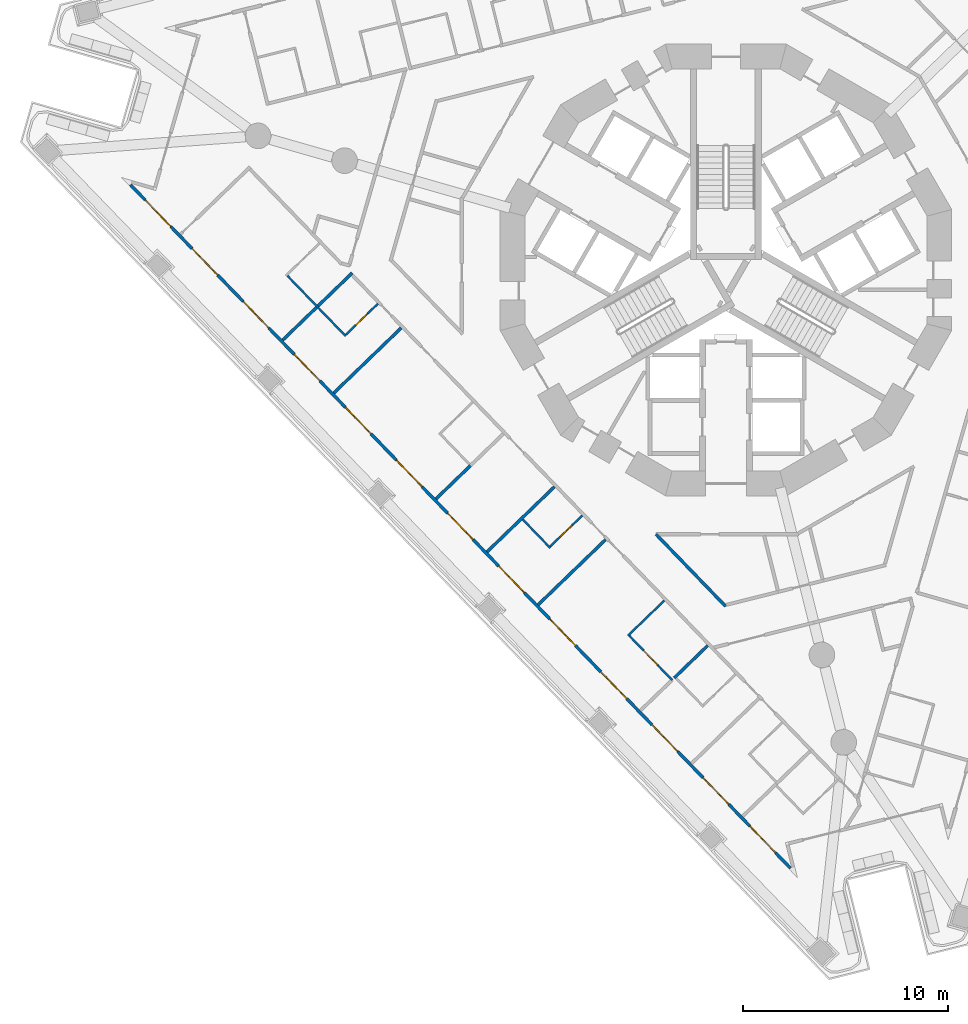
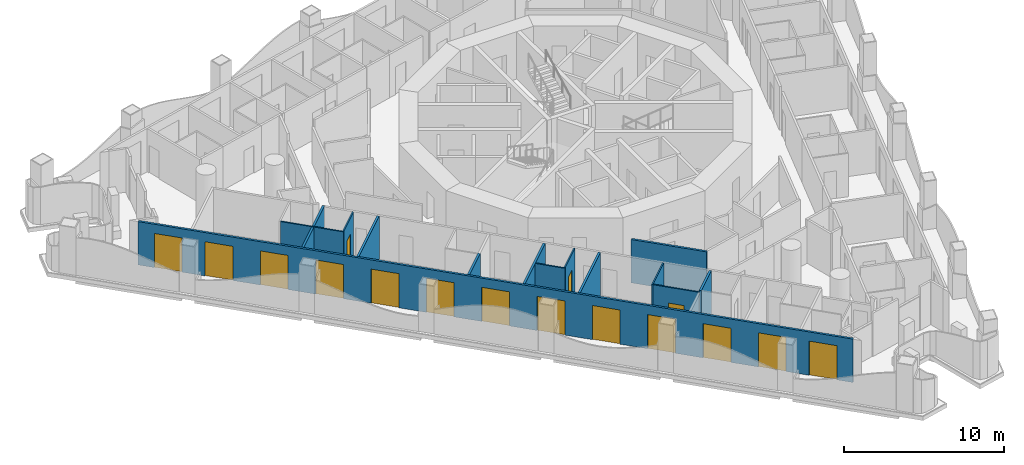
# One storey, part 2 of 20: 16 doors, 14 walls, 16 openings.
"""IFC4 building model written with IfcOpenShell, lengths in metres."""

import ifcopenshell
import ifcopenshell.guid

model = None  # the IFC model being written
_history = None  # IfcOwnerHistory: only IFC2X3 demands one
_inside = {}  # id of a spatial element -> (the spatial element, [elements in it])
_under = {}  # id of a project, library or spatial element -> (it, [spatial elements below it])
_declared = {}  # id of a project -> (the project, [libraries it declares])
_typed = {}  # id of a type object -> (the type object, [elements of that type])
_made_of = {}  # id of a material, layer set ... -> (it, [elements and type objects made of it])


def new_model(schema):
    """Start an empty IFC model of exactly this schema.

    Asked for "IFC4X3", IfcOpenShell would pick the latest addendum, in which some entities
    have other attributes; the version numbers below select the first issue.
    IFC2X3 requires an IfcOwnerHistory on every rooted entity: one is made here for all.
    """
    global model, _history
    if schema == "IFC4X3":
        model = ifcopenshell.file(schema_version=(4, 3, 0, 0))
    else:
        model = ifcopenshell.file(schema=schema)
    _inside.clear()
    _under.clear()
    _declared.clear()
    _typed.clear()
    _made_of.clear()
    _history = None
    if model.schema == "IFC2X3":
        org = make("IfcOrganization", Name="unknown")
        user = make(
            "IfcPersonAndOrganization",
            ThePerson=make("IfcPerson", FamilyName="unknown"),
            TheOrganization=org,
        )
        app = make(
            "IfcApplication",
            ApplicationDeveloper=org,
            Version="unknown",
            ApplicationFullName="unknown",
            ApplicationIdentifier="unknown",
        )
        _history = make(
            "IfcOwnerHistory",
            OwningUser=user,
            OwningApplication=app,
            ChangeAction="ADDED",
            CreationDate=0,
        )
    return model


def make(cls, **values):
    """One entity of the class cls with the attributes given. An attribute that is None is left unset."""
    return model.create_entity(
        cls, **{name: value for name, value in values.items() if value is not None}
    )


def rooted(cls, **values):
    """An entity with a GlobalId (a new one), such as an element, a storey or a relation."""
    return make(cls, GlobalId=ifcopenshell.guid.new(), OwnerHistory=_history, **values)


def si_unit(unit_type, name, prefix=None):
    """IfcSIUnit, for example si_unit("LENGTHUNIT", "METRE", prefix="MILLI")."""
    return make("IfcSIUnit", UnitType=unit_type, Prefix=prefix, Name=name)


def assignment(units):
    """IfcUnitAssignment: the units of a project."""
    return None if units is None else make("IfcUnitAssignment", Units=units)


def point(xyz):
    """IfcCartesianPoint."""
    return None if xyz is None else make("IfcCartesianPoint", Coordinates=xyz)


def direction(xyz):
    """IfcDirection."""
    return None if xyz is None else make("IfcDirection", DirectionRatios=xyz)


def frame(location, z_axis=None, x_axis=None):
    """IfcAxis2Placement3D, a coordinate frame: its origin and axes. An axis left out is left unset."""
    return make(
        "IfcAxis2Placement3D",
        Location=point(location),
        Axis=direction(z_axis),
        RefDirection=direction(x_axis),
    )


def frame_2d(location, x_axis=None):
    """IfcAxis2Placement2D, a coordinate frame in the plane: its origin and x axis."""
    return make(
        "IfcAxis2Placement2D", Location=point(location), RefDirection=direction(x_axis)
    )


def origin():
    """The frame at (0, 0, 0) with its axes left unset."""
    return frame((0.0, 0.0, 0.0))


def place(relative_to, where):
    """IfcLocalPlacement: puts the frame where relative to a parent placement (None: the world)."""
    return make(
        "IfcLocalPlacement", PlacementRelTo=relative_to, RelativePlacement=where
    )


def context(
    kind, dimensions, precision=None, world=None, true_north=None, identifier=None
):
    """IfcGeometricRepresentationContext, for example the 3D "Model" context."""
    return make(
        "IfcGeometricRepresentationContext",
        ContextIdentifier=identifier,
        ContextType=kind,
        CoordinateSpaceDimension=dimensions,
        Precision=precision,
        WorldCoordinateSystem=world,
        TrueNorth=true_north,
    )


def subcontext(parent, identifier, kind, view, scale=None):
    """IfcGeometricRepresentationSubContext, for example "Body" below "Model"."""
    return make(
        "IfcGeometricRepresentationSubContext",
        ContextIdentifier=identifier,
        ContextType=kind,
        ParentContext=parent,
        TargetScale=scale,
        TargetView=view,
    )


def project(units=None, contexts=None):
    """IfcProject with its units and contexts."""
    return rooted(
        "IfcProject",
        Name="project",
        RepresentationContexts=contexts,
        UnitsInContext=assignment(units),
    )


def spatial(cls, under=None, at=None, **own):
    """A site, building, storey or space (cls), placed at a placement, below another one or the project."""
    s = rooted(cls, ObjectPlacement=at, **own)
    if under is not None:
        _under.setdefault(under.id(), (under, []))[1].append(s)
    return s


def polyline(points):
    """IfcPolyline through the points."""
    return make("IfcPolyline", Points=[point(p) for p in points])


def profile(cls, at=None, kind="AREA", **sizes):
    """A parametric profile (cls). Its sizes go by their IFC names, for example OverallWidth=200.0."""
    return make(cls, ProfileType=kind, Position=at, **sizes)


def rectangle(**sizes):
    """IfcRectangleProfileDef."""
    return profile("IfcRectangleProfileDef", **sizes)


def outline(outer, holes=None, kind="AREA"):
    """IfcArbitraryClosedProfileDef: a profile drawn as a closed curve; with holes, ...WithVoids."""
    if holes is None:
        return make("IfcArbitraryClosedProfileDef", ProfileType=kind, OuterCurve=outer)
    return make(
        "IfcArbitraryProfileDefWithVoids",
        ProfileType=kind,
        OuterCurve=outer,
        InnerCurves=holes,
    )


def extrude(swept, where, along, depth):
    """IfcExtrudedAreaSolid: the profile swept, set in the frame where, extruded along a direction by depth."""
    return make(
        "IfcExtrudedAreaSolid",
        SweptArea=swept,
        Position=where,
        ExtrudedDirection=direction(along),
        Depth=depth,
    )


def shape(context_of_items, identifier, shape_type, items):
    """IfcShapeRepresentation: the items that make up one representation, for example the "Body"."""
    return make(
        "IfcShapeRepresentation",
        ContextOfItems=context_of_items,
        RepresentationIdentifier=identifier,
        RepresentationType=shape_type,
        Items=items,
    )


def material(Name=None, Category=None):
    """IfcMaterial."""
    return make("IfcMaterial", Name=Name, Category=Category)


def layer(
    of_material, thickness, ventilated=None, Name=None, Category=None, Priority=None
):
    """IfcMaterialLayer: one layer of a wall or slab, of a material (None: an air gap)."""
    return make(
        "IfcMaterialLayer",
        Material=of_material,
        LayerThickness=thickness,
        IsVentilated=ventilated,
        Name=Name,
        Category=Category,
        Priority=Priority,
    )


def layer_set(layers, Name=None):
    """IfcMaterialLayerSet."""
    return make("IfcMaterialLayerSet", MaterialLayers=layers, LayerSetName=Name)


def made_of(thing, what):
    """Note that an element or type object is made of a material, layer set ...; save() writes the relation."""
    if what is not None:
        _made_of.setdefault(what.id(), (what, []))[1].append(thing)
    return thing


def type_object(cls, material=None, **own):
    """A type object (cls), such as IfcWallType, which elements share."""
    return made_of(rooted(cls, **own), material)


def element(
    cls,
    number,
    at=None,
    inside=None,
    cuts=None,
    type_object=None,
    material=None,
    context=None,
    identifier="Body",
    shape_type=None,
    held_by="IfcProductDefinitionShape",
    body=None,
    shapes=None,
    **own,
):
    """One element of the class cls, such as IfcWall. Its Tag is "e" and its number.

    at: its placement. inside: the storey or other place that contains it. cuts: it is an
    opening in that element (IfcRelVoidsElement). A single representation is given by context,
    identifier, shape_type and body (its items); several are given by shapes. held_by: the class
    of the entity that holds the representations. save() writes the other relations.
    """
    e = rooted(cls, Tag="e%d" % number, ObjectPlacement=at, **own)
    if body is not None:
        shapes = [shape(context, identifier, shape_type, body)]
    if shapes is not None:
        e.Representation = make(held_by, Representations=shapes)
    if inside is not None:
        _inside.setdefault(inside.id(), (inside, []))[1].append(e)
    if cuts is not None:
        rooted(
            "IfcRelVoidsElement", RelatingBuildingElement=cuts, RelatedOpeningElement=e
        )
    if type_object is not None:
        _typed.setdefault(type_object.id(), (type_object, []))[1].append(e)
    return made_of(e, material)


def fill(opening, filler):
    """IfcRelFillsElement: the door or window that sits in an opening."""
    return rooted(
        "IfcRelFillsElement",
        RelatingOpeningElement=opening,
        RelatedBuildingElement=filler,
    )


def aggregate(whole, parts):
    """IfcRelAggregates: a whole, such as a stair, and the parts it consists of."""
    return rooted("IfcRelAggregates", RelatingObject=whole, RelatedObjects=parts)


def save(model, path):
    """Write the relations noted so far, then the file.

    IfcRelAggregates (storeys below a building ...), IfcRelContainedInSpatialStructure (elements
    in a storey), IfcRelDefinesByType, IfcRelAssociatesMaterial and IfcRelDeclares: one each for
    every whole, place, type object, material and project.
    """
    for whole, parts in _under.values():
        aggregate(whole, parts)
    for where, things in _inside.values():
        rooted(
            "IfcRelContainedInSpatialStructure",
            RelatedElements=things,
            RelatingStructure=where,
        )
    for kind, things in _typed.values():
        rooted("IfcRelDefinesByType", RelatedObjects=things, RelatingType=kind)
    for what, things in _made_of.values():
        rooted("IfcRelAssociatesMaterial", RelatedObjects=things, RelatingMaterial=what)
    for by, libraries in _declared.values():
        rooted("IfcRelDeclares", RelatingContext=by, RelatedDefinitions=libraries)
    model.write(path)


model = new_model("IFC4")

# Units and contexts
model_context = context("Model", 3, precision=1e-05, world=origin(), true_north=direction((0.0, 1.0)))
body_context = subcontext(model_context, "Body", "Model", "MODEL_VIEW")
ifc_project = project(units=[si_unit("LENGTHUNIT", "METRE"), si_unit("AREAUNIT", "SQUARE_METRE"), si_unit("VOLUMEUNIT", "CUBIC_METRE"), si_unit("PLANEANGLEUNIT", "RADIAN"), si_unit("MASSUNIT", "GRAM", prefix="KILO")], contexts=[model_context])

# Site, building, storey
site_placement = place(None, origin())
site = spatial("IfcSite", under=ifc_project, at=site_placement, CompositionType="ELEMENT")
building_placement = place(site_placement, origin())
building = spatial("IfcBuilding", under=site, at=building_placement, Name="Trine Commons Tower", CompositionType="ELEMENT")
storey_placement = place(building_placement, frame((0.0, 0.0, 112.5)))
storey = spatial("IfcBuildingStorey", under=building, at=storey_placement, Name="L28", CompositionType="ELEMENT", Elevation=112.5)

# Wall, openings, doors
ifc_material_1 = material(Name="Aluminium-framed insulated wall panel", Category="aluminium")
ifc_layer_1 = layer(ifc_material_1, 0.14990234375)
ifc_layer_set_1 = layer_set([ifc_layer_1], Name="Aluminium-framed insulated wall panel")
wall_type_1 = type_object("IfcWallType", Name="Glazed frame wall 150, EI 60", PredefinedType="SOLIDWALL", material=ifc_layer_set_1)
wall_1_placement = place(storey_placement, frame((83.25048828125, 33.21630859375, 0.0), z_axis=(0.0, 0.0, 1.0), x_axis=(-0.69466017463, 0.719338058067, 0.0)))
wall_1 = element("IfcWall", 1, at=wall_1_placement, inside=storey, type_object=wall_type_1, Name="Glazed frame wall F3", PredefinedType="SOLIDWALL", context=body_context, shape_type="SweptSolid", body=[
    extrude(outline(polyline([(0.1494140625, 0.074951171875), (0.1494140625, -0.074951171875), (46.496826171875, -0.074951171875), (46.496826171875, 0.074951171875), (0.1494140625, 0.074951171875)])), origin(), (0.0, 0.0, 1.0), 3.300048828125),
])
opening_1_placement = place(wall_1_placement, frame((1.194091796875, 0.0, 0.0)))
opening_1 = element("IfcOpeningElement", 2, at=opening_1_placement, cuts=wall_1, Name="Opening BD-3F3-01", PredefinedType="OPENING", context=body_context, shape_type="SweptSolid", body=[
    extrude(rectangle(XDim=1.800048828125, YDim=2.60009765625, at=frame_2d((0.89990234375, 1.300048828125))), frame((0.0, 0.0849609375, 0.0), z_axis=(0.0, -1.0, 0.0), x_axis=(1.0, 0.0, 0.0)), (0.0, 0.0, 1.0), 0.169921875),
])
opening_2_placement = place(wall_1_placement, frame((4.482421875, 0.0, 0.0)))
opening_2 = element("IfcOpeningElement", 3, at=opening_2_placement, cuts=wall_1, Name="Opening BD-3F3-02", PredefinedType="OPENING", context=body_context, shape_type="SweptSolid", body=[
    extrude(rectangle(XDim=1.800048828125, YDim=2.60009765625, at=frame_2d((0.89990234375, 1.300048828125))), frame((0.0, 0.0849609375, 0.0), z_axis=(0.0, -1.0, 0.0), x_axis=(1.0, 0.0, 0.0)), (0.0, 0.0, 1.0), 0.169921875),
])
opening_3_placement = place(wall_1_placement, frame((8.070556640625, 0.0, 0.0)))
opening_3 = element("IfcOpeningElement", 4, at=opening_3_placement, cuts=wall_1, Name="Opening BD-3F3-03", PredefinedType="OPENING", context=body_context, shape_type="SweptSolid", body=[
    extrude(rectangle(XDim=1.800048828125, YDim=2.60009765625, at=frame_2d((0.89990234375, 1.300048828125))), frame((0.0, 0.0849609375, 0.0), z_axis=(0.0, -1.0, 0.0), x_axis=(1.0, 0.0, 0.0)), (0.0, 0.0, 1.0), 0.169921875),
])
opening_4_placement = place(wall_1_placement, frame((11.65869140625, 0.0, 0.0)))
opening_4 = element("IfcOpeningElement", 5, at=opening_4_placement, cuts=wall_1, Name="Opening BD-3F3-04", PredefinedType="OPENING", context=body_context, shape_type="SweptSolid", body=[
    extrude(rectangle(XDim=1.800048828125, YDim=2.60009765625, at=frame_2d((0.89990234375, 1.300048828125))), frame((0.0, 0.0849609375, 0.0), z_axis=(0.0, -1.0, 0.0), x_axis=(1.0, 0.0, 0.0)), (0.0, 0.0, 1.0), 0.169921875),
])
opening_5_placement = place(wall_1_placement, frame((15.246826171875, 0.0, 0.0)))
opening_5 = element("IfcOpeningElement", 6, at=opening_5_placement, cuts=wall_1, Name="Opening BD-3F3-05", PredefinedType="OPENING", context=body_context, shape_type="SweptSolid", body=[
    extrude(rectangle(XDim=1.800048828125, YDim=2.60009765625, at=frame_2d((0.89990234375, 1.300048828125))), frame((0.0, 0.0849609375, 0.0), z_axis=(0.0, -1.0, 0.0), x_axis=(1.0, 0.0, 0.0)), (0.0, 0.0, 1.0), 0.169921875),
])
opening_6_placement = place(wall_1_placement, frame((18.835205078125, 0.0, 0.0)))
opening_6 = element("IfcOpeningElement", 7, at=opening_6_placement, cuts=wall_1, Name="Opening BD-3F3-06", PredefinedType="OPENING", context=body_context, shape_type="SweptSolid", body=[
    extrude(rectangle(XDim=1.800048828125, YDim=2.60009765625, at=frame_2d((0.89990234375, 1.300048828125))), frame((0.0, 0.0849609375, 0.0), z_axis=(0.0, -1.0, 0.0), x_axis=(1.0, 0.0, 0.0)), (0.0, 0.0, 1.0), 0.169921875),
])
opening_7_placement = place(wall_1_placement, frame((22.42333984375, 0.0, 0.0)))
opening_7 = element("IfcOpeningElement", 8, at=opening_7_placement, cuts=wall_1, Name="Opening BD-3F3-07", PredefinedType="OPENING", context=body_context, shape_type="SweptSolid", body=[
    extrude(rectangle(XDim=1.800048828125, YDim=2.60009765625, at=frame_2d((0.89990234375, 1.300048828125))), frame((0.0, 0.0849609375, 0.0), z_axis=(0.0, -1.0, 0.0), x_axis=(1.0, 0.0, 0.0)), (0.0, 0.0, 1.0), 0.169921875),
])
opening_8_placement = place(wall_1_placement, frame((26.011474609375, 0.0, 0.0)))
opening_8 = element("IfcOpeningElement", 9, at=opening_8_placement, cuts=wall_1, Name="Opening BD-3F3-08", PredefinedType="OPENING", context=body_context, shape_type="SweptSolid", body=[
    extrude(rectangle(XDim=1.800048828125, YDim=2.60009765625, at=frame_2d((0.89990234375, 1.300048828125))), frame((0.0, 0.0849609375, 0.0), z_axis=(0.0, -1.0, 0.0), x_axis=(1.0, 0.0, 0.0)), (0.0, 0.0, 1.0), 0.169921875),
])
opening_9_placement = place(wall_1_placement, frame((29.599609375, 0.0, 0.0)))
opening_9 = element("IfcOpeningElement", 10, at=opening_9_placement, cuts=wall_1, Name="Opening BD-3F3-09", PredefinedType="OPENING", context=body_context, shape_type="SweptSolid", body=[
    extrude(rectangle(XDim=1.800048828125, YDim=2.60009765625, at=frame_2d((0.89990234375, 1.300048828125))), frame((0.0, 0.0849609375, 0.0), z_axis=(0.0, -1.0, 0.0), x_axis=(1.0, 0.0, 0.0)), (0.0, 0.0, 1.0), 0.169921875),
])
opening_10_placement = place(wall_1_placement, frame((33.18798828125, 0.0, 0.0)))
opening_10 = element("IfcOpeningElement", 11, at=opening_10_placement, cuts=wall_1, Name="Opening BD-3F3-10", PredefinedType="OPENING", context=body_context, shape_type="SweptSolid", body=[
    extrude(rectangle(XDim=1.800048828125, YDim=2.60009765625, at=frame_2d((0.89990234375, 1.300048828125))), frame((0.0, 0.0849609375, 0.0), z_axis=(0.0, -1.0, 0.0), x_axis=(1.0, 0.0, 0.0)), (0.0, 0.0, 1.0), 0.169921875),
])
opening_11_placement = place(wall_1_placement, frame((36.776123046875, 0.0, 0.0)))
opening_11 = element("IfcOpeningElement", 12, at=opening_11_placement, cuts=wall_1, Name="Opening BD-3F3-11", PredefinedType="OPENING", context=body_context, shape_type="SweptSolid", body=[
    extrude(rectangle(XDim=1.800048828125, YDim=2.60009765625, at=frame_2d((0.89990234375, 1.300048828125))), frame((0.0, 0.0849609375, 0.0), z_axis=(0.0, -1.0, 0.0), x_axis=(1.0, 0.0, 0.0)), (0.0, 0.0, 1.0), 0.169921875),
])
opening_12_placement = place(wall_1_placement, frame((40.3642578125, 0.0, 0.0)))
opening_12 = element("IfcOpeningElement", 13, at=opening_12_placement, cuts=wall_1, Name="Opening BD-3F3-12", PredefinedType="OPENING", context=body_context, shape_type="SweptSolid", body=[
    extrude(rectangle(XDim=1.800048828125, YDim=2.60009765625, at=frame_2d((0.89990234375, 1.300048828125))), frame((0.0, 0.0849609375, 0.0), z_axis=(0.0, -1.0, 0.0), x_axis=(1.0, 0.0, 0.0)), (0.0, 0.0, 1.0), 0.169921875),
])
opening_13_placement = place(wall_1_placement, frame((43.652587890625, 0.0, 0.0)))
opening_13 = element("IfcOpeningElement", 14, at=opening_13_placement, cuts=wall_1, Name="Opening BD-3F3-13", PredefinedType="OPENING", context=body_context, shape_type="SweptSolid", body=[
    extrude(rectangle(XDim=1.800048828125, YDim=2.60009765625, at=frame_2d((0.89990234375, 1.300048828125))), frame((0.0, 0.0849609375, 0.0), z_axis=(0.0, -1.0, 0.0), x_axis=(1.0, 0.0, 0.0)), (0.0, 0.0, 1.0), 0.169921875),
])
ifc_material_2 = material(Name="Anodised aluminium frame with double glazing", Category="aluminium")
door_type_1 = type_object("IfcDoorType", Name="Sliding loggia door 1800x2600", OperationType="SLIDING_TO_LEFT", PredefinedType="DOOR", material=ifc_material_2)
door_1_placement = place(opening_1_placement, origin())
door_1 = element("IfcDoor", 15, at=door_1_placement, inside=storey, type_object=door_type_1, Name="Loggia door F3 1", OperationType="SLIDING_TO_LEFT", OverallHeight=2.60009765625, OverallWidth=1.800048828125, PredefinedType="DOOR", context=body_context, shape_type="SweptSolid", body=[
    extrude(rectangle(XDim=1.800048828125, YDim=2.60009765625, at=frame_2d((0.89990234375, 1.300048828125))), frame((0.0, 0.02490234375, 0.0), z_axis=(0.0, -1.0, 0.0), x_axis=(1.0, 0.0, 0.0)), (0.0, 0.0, 1.0), 0.050048828125),
])
fill(opening_1, door_1)
door_2_placement = place(opening_2_placement, origin())
door_2 = element("IfcDoor", 16, at=door_2_placement, inside=storey, type_object=door_type_1, Name="Loggia door F3 2", OperationType="SLIDING_TO_LEFT", OverallHeight=2.60009765625, OverallWidth=1.800048828125, PredefinedType="DOOR", context=body_context, shape_type="SweptSolid", body=[
    extrude(rectangle(XDim=1.800048828125, YDim=2.60009765625, at=frame_2d((0.89990234375, 1.300048828125))), frame((0.0, 0.02490234375, 0.0), z_axis=(0.0, -1.0, 0.0), x_axis=(1.0, 0.0, 0.0)), (0.0, 0.0, 1.0), 0.050048828125),
])
fill(opening_2, door_2)
door_3_placement = place(opening_3_placement, origin())
door_3 = element("IfcDoor", 17, at=door_3_placement, inside=storey, type_object=door_type_1, Name="Loggia door F3 3", OperationType="SLIDING_TO_LEFT", OverallHeight=2.60009765625, OverallWidth=1.800048828125, PredefinedType="DOOR", context=body_context, shape_type="SweptSolid", body=[
    extrude(rectangle(XDim=1.800048828125, YDim=2.60009765625, at=frame_2d((0.89990234375, 1.300048828125))), frame((0.0, 0.02490234375, 0.0), z_axis=(0.0, -1.0, 0.0), x_axis=(1.0, 0.0, 0.0)), (0.0, 0.0, 1.0), 0.050048828125),
])
fill(opening_3, door_3)
door_4_placement = place(opening_4_placement, origin())
door_4 = element("IfcDoor", 18, at=door_4_placement, inside=storey, type_object=door_type_1, Name="Loggia door F3 4", OperationType="SLIDING_TO_LEFT", OverallHeight=2.60009765625, OverallWidth=1.800048828125, PredefinedType="DOOR", context=body_context, shape_type="SweptSolid", body=[
    extrude(rectangle(XDim=1.800048828125, YDim=2.60009765625, at=frame_2d((0.89990234375, 1.300048828125))), frame((0.0, 0.02490234375, 0.0), z_axis=(0.0, -1.0, 0.0), x_axis=(1.0, 0.0, 0.0)), (0.0, 0.0, 1.0), 0.050048828125),
])
fill(opening_4, door_4)
door_5_placement = place(opening_5_placement, origin())
door_5 = element("IfcDoor", 19, at=door_5_placement, inside=storey, type_object=door_type_1, Name="Loggia door F3 5", OperationType="SLIDING_TO_LEFT", OverallHeight=2.60009765625, OverallWidth=1.800048828125, PredefinedType="DOOR", context=body_context, shape_type="SweptSolid", body=[
    extrude(rectangle(XDim=1.800048828125, YDim=2.60009765625, at=frame_2d((0.89990234375, 1.300048828125))), frame((0.0, 0.02490234375, 0.0), z_axis=(0.0, -1.0, 0.0), x_axis=(1.0, 0.0, 0.0)), (0.0, 0.0, 1.0), 0.050048828125),
])
fill(opening_5, door_5)
door_6_placement = place(opening_6_placement, origin())
door_6 = element("IfcDoor", 20, at=door_6_placement, inside=storey, type_object=door_type_1, Name="Loggia door F3 6", OperationType="SLIDING_TO_LEFT", OverallHeight=2.60009765625, OverallWidth=1.800048828125, PredefinedType="DOOR", context=body_context, shape_type="SweptSolid", body=[
    extrude(rectangle(XDim=1.800048828125, YDim=2.60009765625, at=frame_2d((0.89990234375, 1.300048828125))), frame((0.0, 0.02490234375, 0.0), z_axis=(0.0, -1.0, 0.0), x_axis=(1.0, 0.0, 0.0)), (0.0, 0.0, 1.0), 0.050048828125),
])
fill(opening_6, door_6)
door_7_placement = place(opening_7_placement, origin())
door_7 = element("IfcDoor", 21, at=door_7_placement, inside=storey, type_object=door_type_1, Name="Loggia door F3 7", OperationType="SLIDING_TO_LEFT", OverallHeight=2.60009765625, OverallWidth=1.800048828125, PredefinedType="DOOR", context=body_context, shape_type="SweptSolid", body=[
    extrude(rectangle(XDim=1.800048828125, YDim=2.60009765625, at=frame_2d((0.89990234375, 1.300048828125))), frame((0.0, 0.02490234375, 0.0), z_axis=(0.0, -1.0, 0.0), x_axis=(1.0, 0.0, 0.0)), (0.0, 0.0, 1.0), 0.050048828125),
])
fill(opening_7, door_7)
door_8_placement = place(opening_8_placement, origin())
door_8 = element("IfcDoor", 22, at=door_8_placement, inside=storey, type_object=door_type_1, Name="Loggia door F3 8", OperationType="SLIDING_TO_LEFT", OverallHeight=2.60009765625, OverallWidth=1.800048828125, PredefinedType="DOOR", context=body_context, shape_type="SweptSolid", body=[
    extrude(rectangle(XDim=1.800048828125, YDim=2.60009765625, at=frame_2d((0.89990234375, 1.300048828125))), frame((0.0, 0.02490234375, 0.0), z_axis=(0.0, -1.0, 0.0), x_axis=(1.0, 0.0, 0.0)), (0.0, 0.0, 1.0), 0.050048828125),
])
fill(opening_8, door_8)
door_9_placement = place(opening_9_placement, origin())
door_9 = element("IfcDoor", 23, at=door_9_placement, inside=storey, type_object=door_type_1, Name="Loggia door F3 9", OperationType="SLIDING_TO_LEFT", OverallHeight=2.60009765625, OverallWidth=1.800048828125, PredefinedType="DOOR", context=body_context, shape_type="SweptSolid", body=[
    extrude(rectangle(XDim=1.800048828125, YDim=2.60009765625, at=frame_2d((0.89990234375, 1.300048828125))), frame((0.0, 0.02490234375, 0.0), z_axis=(0.0, -1.0, 0.0), x_axis=(1.0, 0.0, 0.0)), (0.0, 0.0, 1.0), 0.050048828125),
])
fill(opening_9, door_9)
door_10_placement = place(opening_10_placement, origin())
door_10 = element("IfcDoor", 24, at=door_10_placement, inside=storey, type_object=door_type_1, Name="Loggia door F3 10", OperationType="SLIDING_TO_LEFT", OverallHeight=2.60009765625, OverallWidth=1.800048828125, PredefinedType="DOOR", context=body_context, shape_type="SweptSolid", body=[
    extrude(rectangle(XDim=1.800048828125, YDim=2.60009765625, at=frame_2d((0.89990234375, 1.300048828125))), frame((0.0, 0.02490234375, 0.0), z_axis=(0.0, -1.0, 0.0), x_axis=(1.0, 0.0, 0.0)), (0.0, 0.0, 1.0), 0.050048828125),
])
fill(opening_10, door_10)
door_11_placement = place(opening_11_placement, origin())
door_11 = element("IfcDoor", 25, at=door_11_placement, inside=storey, type_object=door_type_1, Name="Loggia door F3 11", OperationType="SLIDING_TO_LEFT", OverallHeight=2.60009765625, OverallWidth=1.800048828125, PredefinedType="DOOR", context=body_context, shape_type="SweptSolid", body=[
    extrude(rectangle(XDim=1.800048828125, YDim=2.60009765625, at=frame_2d((0.89990234375, 1.300048828125))), frame((0.0, 0.02490234375, 0.0), z_axis=(0.0, -1.0, 0.0), x_axis=(1.0, 0.0, 0.0)), (0.0, 0.0, 1.0), 0.050048828125),
])
fill(opening_11, door_11)
door_12_placement = place(opening_12_placement, origin())
door_12 = element("IfcDoor", 26, at=door_12_placement, inside=storey, type_object=door_type_1, Name="Loggia door F3 12", OperationType="SLIDING_TO_LEFT", OverallHeight=2.60009765625, OverallWidth=1.800048828125, PredefinedType="DOOR", context=body_context, shape_type="SweptSolid", body=[
    extrude(rectangle(XDim=1.800048828125, YDim=2.60009765625, at=frame_2d((0.89990234375, 1.300048828125))), frame((0.0, 0.02490234375, 0.0), z_axis=(0.0, -1.0, 0.0), x_axis=(1.0, 0.0, 0.0)), (0.0, 0.0, 1.0), 0.050048828125),
])
fill(opening_12, door_12)
door_13_placement = place(opening_13_placement, origin())
door_13 = element("IfcDoor", 27, at=door_13_placement, inside=storey, type_object=door_type_1, Name="Loggia door F3 13", OperationType="SLIDING_TO_LEFT", OverallHeight=2.60009765625, OverallWidth=1.800048828125, PredefinedType="DOOR", context=body_context, shape_type="SweptSolid", body=[
    extrude(rectangle(XDim=1.800048828125, YDim=2.60009765625, at=frame_2d((0.89990234375, 1.300048828125))), frame((0.0, 0.02490234375, 0.0), z_axis=(0.0, -1.0, 0.0), x_axis=(1.0, 0.0, 0.0)), (0.0, 0.0, 1.0), 0.050048828125),
])
fill(opening_13, door_13)

# Walls
ifc_material_3 = material(Name="Gypsum plasterboard on steel stud", Category="steel")
ifc_layer_2 = layer(ifc_material_3, 0.14990234375)
ifc_layer_set_2 = layer_set([ifc_layer_2], Name="Gypsum plasterboard on steel stud")
wall_type_2 = type_object("IfcWallType", Name="Unit and corridor wall 150 mm, EI 60", PredefinedType="PARTITIONING", material=ifc_layer_set_2)
wall_2_placement = place(storey_placement, frame((58.37890625, 59.079833984375, 0.0), z_axis=(0.0, 0.0, 1.0), x_axis=(0.719355135732, 0.694642489844, 0.0)))
element("IfcWall", 28, at=wall_2_placement, inside=storey, type_object=wall_type_2, Name="Partition 006", PredefinedType="PARTITIONING", context=body_context, shape_type="SweptSolid", body=[
    extrude(rectangle(XDim=4.72216796875, YDim=0.14990234375, at=frame_2d((2.361083984375, 0.0))), origin(), (0.0, 0.0, 1.0), 3.300048828125),
])
wall_3_placement = place(storey_placement, frame((60.871826171875, 56.498779296875, 0.0), z_axis=(0.0, 0.0, 1.0), x_axis=(0.719360056376, 0.694637394106, 0.0)))
element("IfcWall", 29, at=wall_3_placement, inside=storey, type_object=wall_type_2, Name="Partition 014", PredefinedType="PARTITIONING", context=body_context, shape_type="SweptSolid", body=[
    extrude(rectangle(XDim=4.572265625, YDim=0.14990234375, at=frame_2d((2.2861328125, 0.0))), origin(), (0.0, 0.0, 1.0), 3.300048828125),
])
wall_4_placement = place(storey_placement, frame((65.856689453125, 51.335693359375, 0.0), z_axis=(0.0, 0.0, 1.0), x_axis=(0.719352404425, 0.694645318308, 0.0)))
element("IfcWall", 30, at=wall_4_placement, inside=storey, type_object=wall_type_2, Name="Partition 030", PredefinedType="PARTITIONING", context=body_context, shape_type="SweptSolid", body=[
    extrude(rectangle(XDim=2.401123046875, YDim=0.14990234375, at=frame_2d((1.20068359375, 0.0))), origin(), (0.0, 0.0, 1.0), 3.300048828125),
])
wall_5_placement = place(storey_placement, frame((68.348876953125, 48.7548828125, 0.0), z_axis=(0.0, 0.0, 1.0), x_axis=(0.719356389488, 0.694641191482, 0.0)))
element("IfcWall", 31, at=wall_5_placement, inside=storey, type_object=wall_type_2, Name="Partition 042", PredefinedType="PARTITIONING", context=body_context, shape_type="SweptSolid", body=[
    extrude(rectangle(XDim=4.573486328125, YDim=0.14990234375, at=frame_2d((2.28662109375, 0.0))), origin(), (0.0, 0.0, 1.0), 3.300048828125),
])
wall_6_placement = place(storey_placement, frame((70.841796875, 46.173828125, 0.0), z_axis=(0.0, 0.0, 1.0), x_axis=(0.719279103552, 0.694721218327, 0.0)))
element("IfcWall", 32, at=wall_6_placement, inside=storey, type_object=wall_type_2, Name="Partition 048", PredefinedType="PARTITIONING", context=body_context, shape_type="SweptSolid", body=[
    extrude(rectangle(XDim=4.572998046875, YDim=0.14990234375, at=frame_2d((2.28662109375, 0.0))), origin(), (0.0, 0.0, 1.0), 3.300048828125),
])
wall_7_placement = place(storey_placement, frame((76.587890625, 49.613037109375, 0.0), z_axis=(0.0, 0.0, 1.0), x_axis=(0.694768247914, -0.719233676694, 0.0)))
element("IfcWall", 33, at=wall_7_placement, inside=storey, type_object=wall_type_2, Name="Partition 061", PredefinedType="PARTITIONING", context=body_context, shape_type="SweptSolid", body=[
    extrude(rectangle(XDim=4.8896484375, YDim=0.14990234375, at=frame_2d((2.44482421875, 0.0))), origin(), (0.0, 0.0, 1.0), 3.300048828125),
])
wall_8_placement = place(storey_placement, frame((77.47998046875, 42.6083984375, 0.0), z_axis=(0.0, 0.0, 1.0), x_axis=(0.719397760928, 0.694598345501, 0.0)))
element("IfcWall", 34, at=wall_8_placement, inside=storey, type_object=wall_type_2, Name="Partition 065", PredefinedType="PARTITIONING", context=body_context, shape_type="SweptSolid", body=[
    extrude(rectangle(XDim=2.274169921875, YDim=0.14990234375, at=frame_2d((1.13720703125, 0.0))), origin(), (0.0, 0.0, 1.0), 3.300048828125),
])
ifc_layer_3 = layer(ifc_material_3, 0.10009765625)
ifc_layer_set_3 = layer_set([ifc_layer_3], Name="Gypsum plasterboard on steel stud")
wall_type_3 = type_object("IfcWallType", Name="Unit partition 100 mm, no rating", PredefinedType="PARTITIONING", material=ifc_layer_set_3)
wall_9_placement = place(storey_placement, frame((58.608642578125, 62.220947265625, 0.0), z_axis=(0.0, 0.0, 1.0), x_axis=(0.694702903984, -0.71929679215, 0.0)))
element("IfcWall", 35, at=wall_9_placement, inside=storey, type_object=wall_type_3, Name="Partition 008", PredefinedType="PARTITIONING", context=body_context, shape_type="SweptSolid", body=[
    extrude(rectangle(XDim=4.099853515625, YDim=0.10009765625, at=frame_2d((2.0498046875, 0.0))), origin(), (0.0, 0.0, 1.0), 3.300048828125),
])

# Wall, opening, door
wall_10_placement = place(storey_placement, frame((61.4580078125, 59.3427734375, 0.0), z_axis=(0.0, 0.0, 1.0), x_axis=(0.719343447932, 0.694654593245, 0.0)))
wall_10 = element("IfcWall", 36, at=wall_10_placement, inside=storey, type_object=wall_type_3, Name="Partition 016", PredefinedType="PARTITIONING", context=body_context, shape_type="SweptSolid", body=[
    extrude(rectangle(XDim=2.175537109375, YDim=0.10009765625, at=frame_2d((1.087890625, 0.0))), origin(), (0.0, 0.0, 1.0), 3.300048828125),
])
opening_14_placement = place(wall_10_placement, frame((0.687744140625, 0.0, 0.0)))
opening_14 = element("IfcOpeningElement", 37, at=opening_14_placement, cuts=wall_10, Name="Opening D-3C66", PredefinedType="OPENING", context=body_context, shape_type="SweptSolid", body=[
    extrude(rectangle(XDim=0.800048828125, YDim=2.10009765625, at=frame_2d((0.39990234375, 1.050048828125))), frame((0.0, 0.06005859375, 0.0), z_axis=(0.0, -1.0, 0.0), x_axis=(1.0, 0.0, 0.0)), (0.0, 0.0, 1.0), 0.1201171875),
])
ifc_material_4 = material(Name="Painted timber", Category="wood")
door_type_2 = type_object("IfcDoorType", Name="Internal door 800 x 2100, NOT RATED", OperationType="NOTDEFINED", PredefinedType="DOOR", material=ifc_material_4)
door_14_placement = place(opening_14_placement, frame((0.800048828125, 0.0, 0.0), z_axis=(0.0, 0.0, 1.0), x_axis=(-1.0, 0.0, 0.0)))
door_14 = element("IfcDoor", 38, at=door_14_placement, inside=storey, type_object=door_type_2, Name="Door D-3C66", OperationType="SINGLE_SWING_RIGHT", OverallHeight=2.10009765625, OverallWidth=0.800048828125, PredefinedType="DOOR", context=body_context, shape_type="SweptSolid", body=[
    extrude(rectangle(XDim=0.800048828125, YDim=2.10009765625, at=frame_2d((0.39990234375, 1.050048828125))), frame((0.0, 0.02490234375, 0.0), z_axis=(0.0, -1.0, 0.0), x_axis=(1.0, 0.0, 0.0)), (0.0, 0.0, 1.0), 0.050048828125),
])
fill(opening_14, door_14)

# Wall
wall_11_placement = place(storey_placement, frame((70.090087890625, 50.33203125, 0.0), z_axis=(0.0, 0.0, 1.0), x_axis=(0.694700856484, -0.719298769636, 0.0)))
element("IfcWall", 39, at=wall_11_placement, inside=storey, type_object=wall_type_3, Name="Partition 046", PredefinedType="PARTITIONING", context=body_context, shape_type="SweptSolid", body=[
    extrude(rectangle(XDim=1.925537109375, YDim=0.10009765625, at=frame_2d((0.962890625, 0.0))), origin(), (0.0, 0.0, 1.0), 3.300048828125),
])

# Wall, opening, door
wall_12_placement = place(storey_placement, frame((71.428955078125, 49.017578125, 0.0), z_axis=(0.0, 0.0, 1.0), x_axis=(0.71918093231, 0.694822845481, 0.0)))
wall_12 = element("IfcWall", 40, at=wall_12_placement, inside=storey, type_object=wall_type_3, Name="Partition 050", PredefinedType="PARTITIONING", context=body_context, shape_type="SweptSolid", body=[
    extrude(rectangle(XDim=2.175048828125, YDim=0.10009765625, at=frame_2d((1.08740234375, 0.0))), origin(), (0.0, 0.0, 1.0), 3.300048828125),
])
opening_15_placement = place(wall_12_placement, frame((0.6875, 0.0, 0.0)))
opening_15 = element("IfcOpeningElement", 41, at=opening_15_placement, cuts=wall_12, Name="Opening D-3C64", PredefinedType="OPENING", context=body_context, shape_type="SweptSolid", body=[
    extrude(rectangle(XDim=0.800048828125, YDim=2.10009765625, at=frame_2d((0.39990234375, 1.050048828125))), frame((0.0, 0.06005859375, 0.0), z_axis=(0.0, -1.0, 0.0), x_axis=(1.0, 0.0, 0.0)), (0.0, 0.0, 1.0), 0.1201171875),
])
door_15_placement = place(opening_15_placement, frame((0.800048828125, 0.0, 0.0), z_axis=(0.0, 0.0, 1.0), x_axis=(-1.0, 0.0, 0.0)))
door_15 = element("IfcDoor", 42, at=door_15_placement, inside=storey, type_object=door_type_2, Name="Door D-3C64", OperationType="SINGLE_SWING_RIGHT", OverallHeight=2.10009765625, OverallWidth=0.800048828125, PredefinedType="DOOR", context=body_context, shape_type="SweptSolid", body=[
    extrude(rectangle(XDim=0.800048828125, YDim=2.10009765625, at=frame_2d((0.39990234375, 1.050048828125))), frame((0.0, 0.02490234375, 0.0), z_axis=(0.0, -1.0, 0.0), x_axis=(1.0, 0.0, 0.0)), (0.0, 0.0, 1.0), 0.050048828125),
])
fill(opening_15, door_15)

# Wall
wall_13_placement = place(storey_placement, frame((75.217041015625, 44.663330078125, 0.0), z_axis=(0.0, 0.0, 1.0), x_axis=(0.719620691494, 0.694367381415, 0.0)))
element("IfcWall", 43, at=wall_13_placement, inside=storey, type_object=wall_type_3, Name="Partition 056", PredefinedType="PARTITIONING", context=body_context, shape_type="SweptSolid", body=[
    extrude(rectangle(XDim=2.474853515625, YDim=0.10009765625, at=frame_2d((1.2373046875, 0.0))), origin(), (0.0, 0.0, 1.0), 3.300048828125),
])

# Wall, opening, door
wall_14_placement = place(storey_placement, frame((75.28759765625, 44.662109375, 0.0), z_axis=(0.0, 0.0, 1.0), x_axis=(0.694713575766, -0.719286485099, 0.0)))
wall_14 = element("IfcWall", 44, at=wall_14_placement, inside=storey, type_object=wall_type_3, Name="Partition 057", PredefinedType="PARTITIONING", context=body_context, shape_type="SweptSolid", body=[
    extrude(rectangle(XDim=3.00048828125, YDim=0.10009765625, at=frame_2d((1.500244140625, 0.0))), origin(), (0.0, 0.0, 1.0), 3.300048828125),
])
opening_16_placement = place(wall_14_placement, frame((1.0, 0.0, 0.0)))
opening_16 = element("IfcOpeningElement", 45, at=opening_16_placement, cuts=wall_14, Name="Opening D-3C63", PredefinedType="OPENING", context=body_context, shape_type="SweptSolid", body=[
    extrude(rectangle(XDim=1.0, YDim=2.10009765625, at=frame_2d((0.5, 1.050048828125))), frame((0.0, 0.06005859375, 0.0), z_axis=(0.0, -1.0, 0.0), x_axis=(1.0, 0.0, 0.0)), (0.0, 0.0, 1.0), 0.1201171875),
])
door_type_3 = type_object("IfcDoorType", Name="Internal door 1000 x 2100, NOT RATED", OperationType="NOTDEFINED", PredefinedType="DOOR", material=ifc_material_4)
door_16_placement = place(opening_16_placement, frame((1.0, 0.0, 0.0), z_axis=(0.0, 0.0, 1.0), x_axis=(-1.0, 0.0, 0.0)))
door_16 = element("IfcDoor", 46, at=door_16_placement, inside=storey, type_object=door_type_3, Name="Door D-3C63", OperationType="SINGLE_SWING_LEFT", OverallHeight=2.10009765625, OverallWidth=1.0, PredefinedType="DOOR", context=body_context, shape_type="SweptSolid", body=[
    extrude(rectangle(XDim=1.0, YDim=2.10009765625, at=frame_2d((0.5, 1.050048828125))), frame((0.0, 0.02490234375, 0.0), z_axis=(0.0, -1.0, 0.0), x_axis=(1.0, 0.0, 0.0)), (0.0, 0.0, 1.0), 0.050048828125),
])
fill(opening_16, door_16)

save(model, "model.ifc")
